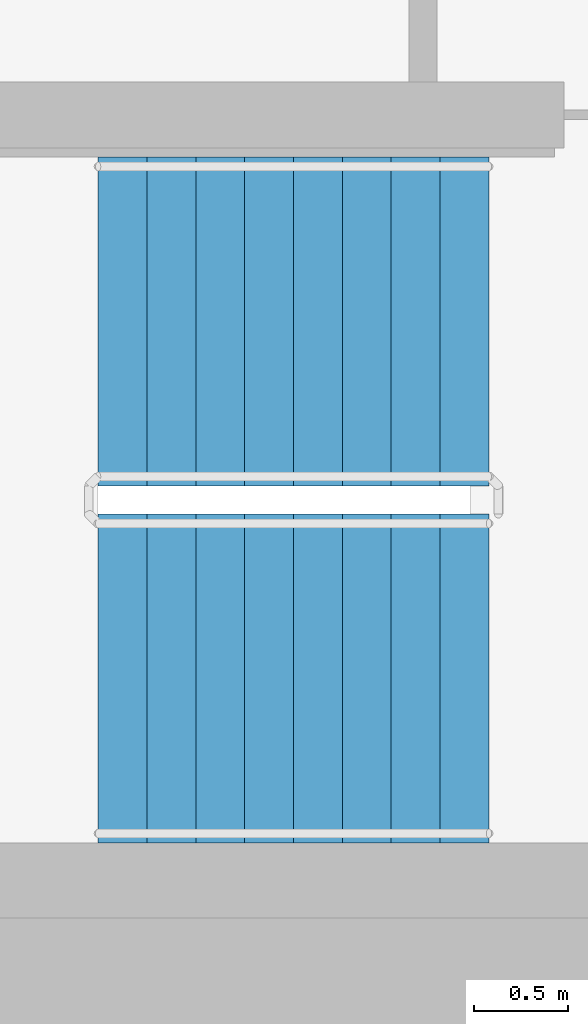
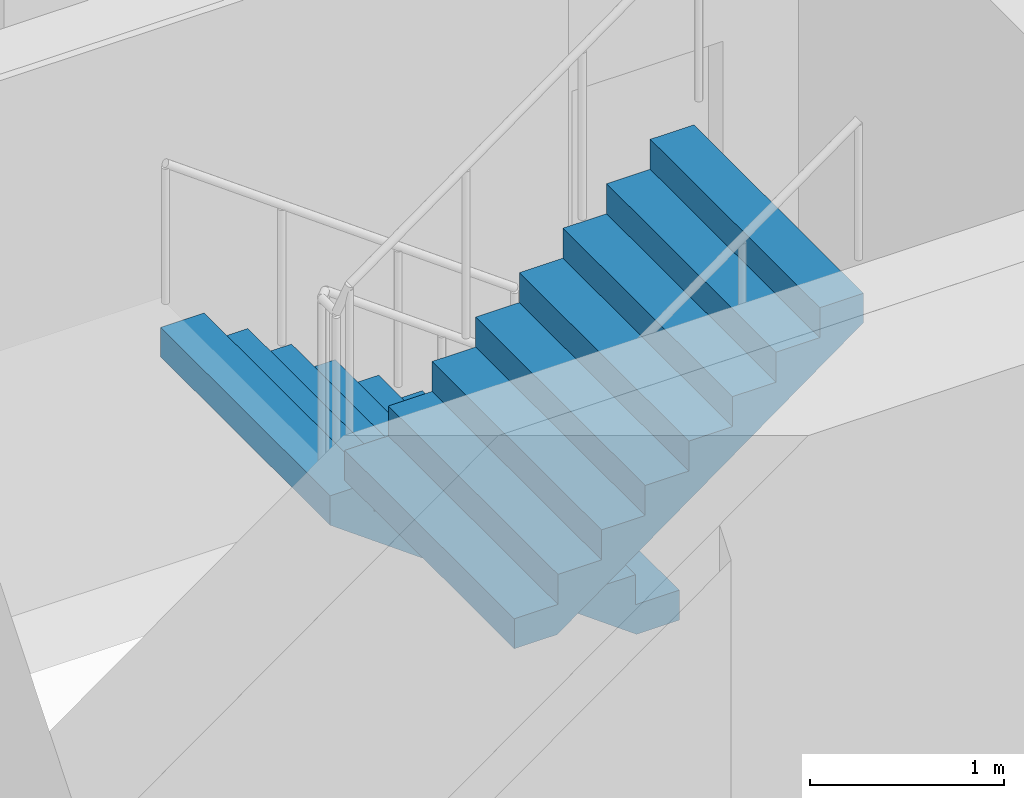
# One storey, part 13 of 19: 2 stair flights, 1 element without a shape of its own.
"""IFC4 building model written with IfcOpenShell, lengths in metres."""

from ifc_helpers import new_model, si_unit, direction, frame, origin, place, context, subcontext, project, spatial, faceted_brep, material, type_object, element, aggregate, save


model = new_model("IFC4")

# Units and contexts
model_context = context("Model", 3, precision=1e-05, world=origin(), true_north=direction((0.0, 1.0)))
body_context = subcontext(model_context, "Body", "Model", "MODEL_VIEW")
ifc_project = project(units=[si_unit("LENGTHUNIT", "METRE"), si_unit("AREAUNIT", "SQUARE_METRE"), si_unit("VOLUMEUNIT", "CUBIC_METRE"), si_unit("PLANEANGLEUNIT", "RADIAN"), si_unit("MASSUNIT", "GRAM", prefix="KILO")], contexts=[model_context])

# Site, building, storey
site_placement = place(None, origin())
site = spatial("IfcSite", under=ifc_project, at=site_placement, CompositionType="ELEMENT")
building_placement = place(site_placement, origin())
building = spatial("IfcBuilding", under=site, at=building_placement, Name="Ipe Terrace Towers", CompositionType="ELEMENT")
storey_placement = place(building_placement, frame((0.0, 0.0, 147.300048828125)))
storey = spatial("IfcBuildingStorey", under=building, at=storey_placement, Name="L40", CompositionType="ELEMENT", Elevation=147.300048828125)

# Stair, stair flights
ifc_material_1 = material(Name="Concrete C30/37", Category="concrete")
stair_type = type_object("IfcStairType", Name="Protected exit stair", PredefinedType="HALF_TURN_STAIR", material=ifc_material_1)
stair_placement = place(storey_placement, origin())
stair = element("IfcStair", 1, at=stair_placement, inside=storey, type_object=stair_type, Name="L40 Exit stair T1-C2", PredefinedType="HALF_TURN_STAIR")
ifc_material_2 = material(Name="Concrete C30/37", Category="concrete")
stair_flight_type = type_object("IfcStairFlightType", Name="Exit stair flight 1750", PredefinedType="STRAIGHT", material=ifc_material_2)
stair_flight_1_placement = place(storey_placement, frame((-45.699951171875, -2.77490234375, 0.0), z_axis=(0.0, 0.0, 1.0), x_axis=(-1.0, 0.0, 0.0)))
stair_flight_1 = element("IfcStairFlight", 2, at=stair_flight_1_placement, type_object=stair_flight_type, Name="T1-ST2 flight 1", NumberOfRisers=9, NumberOfTreads=8, PredefinedType="STRAIGHT", RiserHeight=0.188888889, TreadLength=0.26, context=body_context, shape_type="Brep", body=[
    faceted_brep([(0.255126953125, -0.875, 0.0), (2.080078125, -0.875, 1.325927734375), (2.080078125, -0.875, 1.51123046875), (1.820068359375, -0.875, 1.51123046875), (1.820068359375, -0.875, 1.322265625), (1.56005859375, -0.875, 1.322265625), (1.56005859375, -0.875, 1.13330078125), (1.300048828125, -0.875, 1.13330078125), (1.300048828125, -0.875, 0.9443359375), (1.0400390625, -0.875, 0.9443359375), (1.0400390625, -0.875, 0.755615234375), (0.780029296875, -0.875, 0.755615234375), (0.780029296875, -0.875, 0.566650390625), (0.52001953125, -0.875, 0.566650390625), (0.52001953125, -0.875, 0.377685546875), (0.260009765625, -0.875, 0.377685546875), (0.260009765625, -0.875, 0.18896484375), (0.0, -0.875, 0.18896484375), (0.0, -0.875, 0.0), (0.0, 0.875, 0.0), (0.0, 0.875, 0.18896484375), (0.260009765625, 0.875, 0.18896484375), (0.260009765625, 0.875, 0.377685546875), (0.52001953125, 0.875, 0.377685546875), (0.52001953125, 0.875, 0.566650390625), (0.780029296875, 0.875, 0.566650390625), (0.780029296875, 0.875, 0.755615234375), (1.0400390625, 0.875, 0.755615234375), (1.0400390625, 0.875, 0.9443359375), (1.300048828125, 0.875, 0.9443359375), (1.300048828125, 0.875, 1.13330078125), (1.56005859375, 0.875, 1.13330078125), (1.56005859375, 0.875, 1.322265625), (1.820068359375, 0.875, 1.322265625), (1.820068359375, 0.875, 1.51123046875), (2.080078125, 0.875, 1.51123046875), (2.080078125, 0.875, 1.325927734375), (0.255126953125, 0.875, 0.0), (0.0, -0.300048828125, 0.18896484375), (0.0, -0.1201171875, 0.18896484375), (0.0, -0.06005859375, 0.18896484375), (0.0, -0.030029296875, 0.18896484375), (0.0, -0.010009765625, 0.18896484375), (0.0, 0.0, 0.18896484375), (0.0, 0.010009765625, 0.18896484375), (0.0, 0.030029296875, 0.18896484375), (0.0, 0.06005859375, 0.18896484375), (0.0, 0.1201171875, 0.18896484375), (0.0, 0.300048828125, 0.18896484375), (0.0, 0.300048828125, 0.0), (0.0, 0.1201171875, 0.0), (0.0, 0.06005859375, 0.0), (0.0, 0.030029296875, 0.0), (0.0, 0.010009765625, 0.0), (0.0, 0.0, 0.0), (0.0, -0.010009765625, 0.0), (0.0, -0.030029296875, 0.0), (0.0, -0.06005859375, 0.0), (0.0, -0.1201171875, 0.0), (0.0, -0.300048828125, 0.0), (0.260009765625, -0.300048828125, 0.18896484375), (0.260009765625, -0.1201171875, 0.18896484375), (0.260009765625, -0.06005859375, 0.18896484375), (0.260009765625, -0.030029296875, 0.18896484375), (0.260009765625, -0.010009765625, 0.18896484375), (0.260009765625, 0.0, 0.18896484375), (0.260009765625, 0.010009765625, 0.18896484375), (0.260009765625, 0.030029296875, 0.18896484375), (0.260009765625, 0.06005859375, 0.18896484375), (0.260009765625, 0.1201171875, 0.18896484375), (0.260009765625, 0.300048828125, 0.18896484375), (0.260009765625, -0.300048828125, 0.377685546875), (0.260009765625, -0.1201171875, 0.377685546875), (0.260009765625, -0.06005859375, 0.377685546875), (0.260009765625, -0.030029296875, 0.377685546875), (0.260009765625, -0.010009765625, 0.377685546875), (0.260009765625, 0.0, 0.377685546875), (0.260009765625, 0.010009765625, 0.377685546875), (0.260009765625, 0.030029296875, 0.377685546875), (0.260009765625, 0.06005859375, 0.377685546875), (0.260009765625, 0.1201171875, 0.377685546875), (0.260009765625, 0.300048828125, 0.377685546875), (0.52001953125, -0.300048828125, 0.377685546875), (0.52001953125, -0.1201171875, 0.377685546875), (0.52001953125, -0.06005859375, 0.377685546875), (0.52001953125, -0.030029296875, 0.377685546875), (0.52001953125, -0.010009765625, 0.377685546875), (0.52001953125, 0.0, 0.377685546875), (0.52001953125, 0.010009765625, 0.377685546875), (0.52001953125, 0.030029296875, 0.377685546875), (0.52001953125, 0.06005859375, 0.377685546875), (0.52001953125, 0.1201171875, 0.377685546875), (0.52001953125, 0.300048828125, 0.377685546875), (0.52001953125, -0.300048828125, 0.566650390625), (0.52001953125, -0.1201171875, 0.566650390625), (0.52001953125, -0.06005859375, 0.566650390625), (0.52001953125, -0.030029296875, 0.566650390625), (0.52001953125, -0.010009765625, 0.566650390625), (0.52001953125, 0.0, 0.566650390625), (0.52001953125, 0.010009765625, 0.566650390625), (0.52001953125, 0.030029296875, 0.566650390625), (0.52001953125, 0.06005859375, 0.566650390625), (0.52001953125, 0.1201171875, 0.566650390625), (0.52001953125, 0.300048828125, 0.566650390625), (0.780029296875, -0.300048828125, 0.566650390625), (0.780029296875, -0.1201171875, 0.566650390625), (0.780029296875, -0.06005859375, 0.566650390625), (0.780029296875, -0.030029296875, 0.566650390625), (0.780029296875, -0.010009765625, 0.566650390625), (0.780029296875, 0.0, 0.566650390625), (0.780029296875, 0.010009765625, 0.566650390625), (0.780029296875, 0.030029296875, 0.566650390625), (0.780029296875, 0.06005859375, 0.566650390625), (0.780029296875, 0.1201171875, 0.566650390625), (0.780029296875, 0.300048828125, 0.566650390625), (0.780029296875, -0.300048828125, 0.755615234375), (0.780029296875, -0.1201171875, 0.755615234375), (0.780029296875, -0.06005859375, 0.755615234375), (0.780029296875, -0.030029296875, 0.755615234375), (0.780029296875, -0.010009765625, 0.755615234375), (0.780029296875, 0.0, 0.755615234375), (0.780029296875, 0.010009765625, 0.755615234375), (0.780029296875, 0.030029296875, 0.755615234375), (0.780029296875, 0.06005859375, 0.755615234375), (0.780029296875, 0.1201171875, 0.755615234375), (0.780029296875, 0.300048828125, 0.755615234375), (1.0400390625, -0.300048828125, 0.755615234375), (1.0400390625, -0.1201171875, 0.755615234375), (1.0400390625, -0.06005859375, 0.755615234375), (1.0400390625, -0.030029296875, 0.755615234375), (1.0400390625, -0.010009765625, 0.755615234375), (1.0400390625, 0.0, 0.755615234375), (1.0400390625, 0.010009765625, 0.755615234375), (1.0400390625, 0.030029296875, 0.755615234375), (1.0400390625, 0.06005859375, 0.755615234375), (1.0400390625, 0.1201171875, 0.755615234375), (1.0400390625, 0.300048828125, 0.755615234375), (1.0400390625, -0.300048828125, 0.9443359375), (1.0400390625, -0.1201171875, 0.9443359375), (1.0400390625, -0.06005859375, 0.9443359375), (1.0400390625, -0.030029296875, 0.9443359375), (1.0400390625, -0.010009765625, 0.9443359375), (1.0400390625, 0.0, 0.9443359375), (1.0400390625, 0.010009765625, 0.9443359375), (1.0400390625, 0.030029296875, 0.9443359375), (1.0400390625, 0.06005859375, 0.9443359375), (1.0400390625, 0.1201171875, 0.9443359375), (1.0400390625, 0.300048828125, 0.9443359375), (1.300048828125, -0.300048828125, 0.9443359375), (1.300048828125, -0.1201171875, 0.9443359375), (1.300048828125, -0.06005859375, 0.9443359375), (1.300048828125, -0.030029296875, 0.9443359375), (1.300048828125, -0.010009765625, 0.9443359375), (1.300048828125, 0.0, 0.9443359375), (1.300048828125, 0.010009765625, 0.9443359375), (1.300048828125, 0.030029296875, 0.9443359375), (1.300048828125, 0.06005859375, 0.9443359375), (1.300048828125, 0.1201171875, 0.9443359375), (1.300048828125, 0.300048828125, 0.9443359375), (1.300048828125, -0.300048828125, 1.13330078125), (1.300048828125, -0.1201171875, 1.13330078125), (1.300048828125, -0.06005859375, 1.13330078125), (1.300048828125, -0.030029296875, 1.13330078125), (1.300048828125, -0.010009765625, 1.13330078125), (1.300048828125, 0.0, 1.13330078125), (1.300048828125, 0.010009765625, 1.13330078125), (1.300048828125, 0.030029296875, 1.13330078125), (1.300048828125, 0.06005859375, 1.13330078125), (1.300048828125, 0.1201171875, 1.13330078125), (1.300048828125, 0.300048828125, 1.13330078125), (1.56005859375, -0.300048828125, 1.13330078125), (1.56005859375, -0.1201171875, 1.13330078125), (1.56005859375, -0.06005859375, 1.13330078125), (1.56005859375, -0.030029296875, 1.13330078125), (1.56005859375, -0.010009765625, 1.13330078125), (1.56005859375, 0.0, 1.13330078125), (1.56005859375, 0.010009765625, 1.13330078125), (1.56005859375, 0.030029296875, 1.13330078125), (1.56005859375, 0.06005859375, 1.13330078125), (1.56005859375, 0.1201171875, 1.13330078125), (1.56005859375, 0.300048828125, 1.13330078125), (1.56005859375, -0.300048828125, 1.322265625), (1.56005859375, -0.1201171875, 1.322265625), (1.56005859375, -0.06005859375, 1.322265625), (1.56005859375, -0.030029296875, 1.322265625), (1.56005859375, -0.010009765625, 1.322265625), (1.56005859375, 0.0, 1.322265625), (1.56005859375, 0.010009765625, 1.322265625), (1.56005859375, 0.030029296875, 1.322265625), (1.56005859375, 0.06005859375, 1.322265625), (1.56005859375, 0.1201171875, 1.322265625), (1.56005859375, 0.300048828125, 1.322265625), (1.820068359375, -0.300048828125, 1.322265625), (1.820068359375, -0.1201171875, 1.322265625), (1.820068359375, -0.06005859375, 1.322265625), (1.820068359375, -0.030029296875, 1.322265625), (1.820068359375, -0.010009765625, 1.322265625), (1.820068359375, 0.0, 1.322265625), (1.820068359375, 0.010009765625, 1.322265625), (1.820068359375, 0.030029296875, 1.322265625), (1.820068359375, 0.06005859375, 1.322265625), (1.820068359375, 0.1201171875, 1.322265625), (1.820068359375, 0.300048828125, 1.322265625), (1.820068359375, -0.300048828125, 1.51123046875), (1.820068359375, -0.1201171875, 1.51123046875), (1.820068359375, -0.06005859375, 1.51123046875), (1.820068359375, -0.030029296875, 1.51123046875), (1.820068359375, -0.010009765625, 1.51123046875), (1.820068359375, 0.0, 1.51123046875), (1.820068359375, 0.010009765625, 1.51123046875), (1.820068359375, 0.030029296875, 1.51123046875), (1.820068359375, 0.06005859375, 1.51123046875), (1.820068359375, 0.1201171875, 1.51123046875), (1.820068359375, 0.300048828125, 1.51123046875), (2.080078125, -0.300048828125, 1.51123046875), (2.080078125, -0.1201171875, 1.51123046875), (2.080078125, -0.06005859375, 1.51123046875), (2.080078125, -0.030029296875, 1.51123046875), (2.080078125, -0.010009765625, 1.51123046875), (2.080078125, 0.0, 1.51123046875), (2.080078125, 0.010009765625, 1.51123046875), (2.080078125, 0.030029296875, 1.51123046875), (2.080078125, 0.06005859375, 1.51123046875), (2.080078125, 0.1201171875, 1.51123046875), (2.080078125, 0.300048828125, 1.51123046875), (2.080078125, -0.300048828125, 1.325927734375), (2.080078125, -0.1201171875, 1.325927734375), (2.080078125, -0.06005859375, 1.325927734375), (2.080078125, -0.030029296875, 1.325927734375), (2.080078125, -0.010009765625, 1.325927734375), (2.080078125, 0.0, 1.325927734375), (2.080078125, 0.010009765625, 1.325927734375), (2.080078125, 0.030029296875, 1.325927734375), (2.080078125, 0.06005859375, 1.325927734375), (2.080078125, 0.1201171875, 1.325927734375), (2.080078125, 0.300048828125, 1.325927734375), (0.255126953125, -0.300048828125, 0.0), (0.255126953125, -0.1201171875, 0.0), (0.255126953125, -0.06005859375, 0.0), (0.255126953125, -0.030029296875, 0.0), (0.255126953125, -0.010009765625, 0.0), (0.255126953125, 0.0, 0.0), (0.255126953125, 0.010009765625, 0.0), (0.255126953125, 0.030029296875, 0.0), (0.255126953125, 0.06005859375, 0.0), (0.255126953125, 0.1201171875, 0.0), (0.255126953125, 0.300048828125, 0.0)], [[[0, 1, 2, 3, 4, 5, 6, 7, 8, 9, 10, 11, 12, 13, 14, 15, 16, 17, 18]], [[19, 20, 21, 22, 23, 24, 25, 26, 27, 28, 29, 30, 31, 32, 33, 34, 35, 36, 37]], [[17, 38, 39, 40, 41, 42, 43, 44, 45, 46, 47, 48, 20, 19, 49, 50, 51, 52, 53, 54, 55, 56, 57, 58, 59, 18]], [[16, 60, 61, 62, 63, 64, 65, 66, 67, 68, 69, 70, 21, 20, 48, 47, 46, 45, 44, 43, 42, 41, 40, 39, 38, 17]], [[15, 71, 72, 73, 74, 75, 76, 77, 78, 79, 80, 81, 22, 21, 70, 69, 68, 67, 66, 65, 64, 63, 62, 61, 60, 16]], [[14, 82, 83, 84, 85, 86, 87, 88, 89, 90, 91, 92, 23, 22, 81, 80, 79, 78, 77, 76, 75, 74, 73, 72, 71, 15]], [[13, 93, 94, 95, 96, 97, 98, 99, 100, 101, 102, 103, 24, 23, 92, 91, 90, 89, 88, 87, 86, 85, 84, 83, 82, 14]], [[12, 104, 105, 106, 107, 108, 109, 110, 111, 112, 113, 114, 25, 24, 103, 102, 101, 100, 99, 98, 97, 96, 95, 94, 93, 13]], [[11, 115, 116, 117, 118, 119, 120, 121, 122, 123, 124, 125, 26, 25, 114, 113, 112, 111, 110, 109, 108, 107, 106, 105, 104, 12]], [[10, 126, 127, 128, 129, 130, 131, 132, 133, 134, 135, 136, 27, 26, 125, 124, 123, 122, 121, 120, 119, 118, 117, 116, 115, 11]], [[9, 137, 138, 139, 140, 141, 142, 143, 144, 145, 146, 147, 28, 27, 136, 135, 134, 133, 132, 131, 130, 129, 128, 127, 126, 10]], [[8, 148, 149, 150, 151, 152, 153, 154, 155, 156, 157, 158, 29, 28, 147, 146, 145, 144, 143, 142, 141, 140, 139, 138, 137, 9]], [[7, 159, 160, 161, 162, 163, 164, 165, 166, 167, 168, 169, 30, 29, 158, 157, 156, 155, 154, 153, 152, 151, 150, 149, 148, 8]], [[6, 170, 171, 172, 173, 174, 175, 176, 177, 178, 179, 180, 31, 30, 169, 168, 167, 166, 165, 164, 163, 162, 161, 160, 159, 7]], [[5, 181, 182, 183, 184, 185, 186, 187, 188, 189, 190, 191, 32, 31, 180, 179, 178, 177, 176, 175, 174, 173, 172, 171, 170, 6]], [[4, 192, 193, 194, 195, 196, 197, 198, 199, 200, 201, 202, 33, 32, 191, 190, 189, 188, 187, 186, 185, 184, 183, 182, 181, 5]], [[3, 203, 204, 205, 206, 207, 208, 209, 210, 211, 212, 213, 34, 33, 202, 201, 200, 199, 198, 197, 196, 195, 194, 193, 192, 4]], [[2, 214, 215, 216, 217, 218, 219, 220, 221, 222, 223, 224, 35, 34, 213, 212, 211, 210, 209, 208, 207, 206, 205, 204, 203, 3]], [[1, 225, 226, 227, 228, 229, 230, 231, 232, 233, 234, 235, 36, 35, 224, 223, 222, 221, 220, 219, 218, 217, 216, 215, 214, 2]], [[0, 236, 237, 238, 239, 240, 241, 242, 243, 244, 245, 246, 37, 36, 235, 234, 233, 232, 231, 230, 229, 228, 227, 226, 225, 1]], [[18, 59, 58, 57, 56, 55, 54, 53, 52, 51, 50, 49, 19, 37, 246, 245, 244, 243, 242, 241, 240, 239, 238, 237, 236, 0]]]),
])
stair_flight_2_placement = place(storey_placement, frame((-47.780029296875, -4.675048828125, 1.699951171875), z_axis=(0.0, 0.0, 1.0), x_axis=(1.0, 0.0, 0.0)))
stair_flight_2 = element("IfcStairFlight", 3, at=stair_flight_2_placement, type_object=stair_flight_type, Name="T1-ST2 flight 2", NumberOfRisers=9, NumberOfTreads=8, PredefinedType="STRAIGHT", RiserHeight=0.188888889, TreadLength=0.26, context=body_context, shape_type="Brep", body=[
    faceted_brep([(0.255126953125, -0.875, 0.0), (2.080078125, -0.875, 1.325927734375), (2.080078125, -0.875, 1.51123046875), (1.820068359375, -0.875, 1.51123046875), (1.820068359375, -0.875, 1.322265625), (1.56005859375, -0.875, 1.322265625), (1.56005859375, -0.875, 1.13330078125), (1.300048828125, -0.875, 1.13330078125), (1.300048828125, -0.875, 0.9443359375), (1.0400390625, -0.875, 0.9443359375), (1.0400390625, -0.875, 0.755615234375), (0.780029296875, -0.875, 0.755615234375), (0.780029296875, -0.875, 0.566650390625), (0.52001953125, -0.875, 0.566650390625), (0.52001953125, -0.875, 0.377685546875), (0.260009765625, -0.875, 0.377685546875), (0.260009765625, -0.875, 0.18896484375), (0.0, -0.875, 0.18896484375), (0.0, -0.875, 0.0), (0.0, 0.875, 0.0), (0.0, 0.875, 0.18896484375), (0.260009765625, 0.875, 0.18896484375), (0.260009765625, 0.875, 0.377685546875), (0.52001953125, 0.875, 0.377685546875), (0.52001953125, 0.875, 0.566650390625), (0.780029296875, 0.875, 0.566650390625), (0.780029296875, 0.875, 0.755615234375), (1.0400390625, 0.875, 0.755615234375), (1.0400390625, 0.875, 0.9443359375), (1.300048828125, 0.875, 0.9443359375), (1.300048828125, 0.875, 1.13330078125), (1.56005859375, 0.875, 1.13330078125), (1.56005859375, 0.875, 1.322265625), (1.820068359375, 0.875, 1.322265625), (1.820068359375, 0.875, 1.51123046875), (2.080078125, 0.875, 1.51123046875), (2.080078125, 0.875, 1.325927734375), (0.255126953125, 0.875, 0.0), (0.0, -0.300048828125, 0.18896484375), (0.0, -0.1201171875, 0.18896484375), (0.0, -0.06005859375, 0.18896484375), (0.0, -0.030029296875, 0.18896484375), (0.0, -0.010009765625, 0.18896484375), (0.0, 0.0, 0.18896484375), (0.0, 0.010009765625, 0.18896484375), (0.0, 0.030029296875, 0.18896484375), (0.0, 0.06005859375, 0.18896484375), (0.0, 0.1201171875, 0.18896484375), (0.0, 0.300048828125, 0.18896484375), (0.0, 0.300048828125, 0.0), (0.0, 0.1201171875, 0.0), (0.0, 0.06005859375, 0.0), (0.0, 0.030029296875, 0.0), (0.0, 0.010009765625, 0.0), (0.0, 0.0, 0.0), (0.0, -0.010009765625, 0.0), (0.0, -0.030029296875, 0.0), (0.0, -0.06005859375, 0.0), (0.0, -0.1201171875, 0.0), (0.0, -0.300048828125, 0.0), (0.260009765625, -0.300048828125, 0.18896484375), (0.260009765625, -0.1201171875, 0.18896484375), (0.260009765625, -0.06005859375, 0.18896484375), (0.260009765625, -0.030029296875, 0.18896484375), (0.260009765625, -0.010009765625, 0.18896484375), (0.260009765625, 0.0, 0.18896484375), (0.260009765625, 0.010009765625, 0.18896484375), (0.260009765625, 0.030029296875, 0.18896484375), (0.260009765625, 0.06005859375, 0.18896484375), (0.260009765625, 0.1201171875, 0.18896484375), (0.260009765625, 0.300048828125, 0.18896484375), (0.260009765625, -0.300048828125, 0.377685546875), (0.260009765625, -0.1201171875, 0.377685546875), (0.260009765625, -0.06005859375, 0.377685546875), (0.260009765625, -0.030029296875, 0.377685546875), (0.260009765625, -0.010009765625, 0.377685546875), (0.260009765625, 0.0, 0.377685546875), (0.260009765625, 0.010009765625, 0.377685546875), (0.260009765625, 0.030029296875, 0.377685546875), (0.260009765625, 0.06005859375, 0.377685546875), (0.260009765625, 0.1201171875, 0.377685546875), (0.260009765625, 0.300048828125, 0.377685546875), (0.52001953125, -0.300048828125, 0.377685546875), (0.52001953125, -0.1201171875, 0.377685546875), (0.52001953125, -0.06005859375, 0.377685546875), (0.52001953125, -0.030029296875, 0.377685546875), (0.52001953125, -0.010009765625, 0.377685546875), (0.52001953125, 0.0, 0.377685546875), (0.52001953125, 0.010009765625, 0.377685546875), (0.52001953125, 0.030029296875, 0.377685546875), (0.52001953125, 0.06005859375, 0.377685546875), (0.52001953125, 0.1201171875, 0.377685546875), (0.52001953125, 0.300048828125, 0.377685546875), (0.52001953125, -0.300048828125, 0.566650390625), (0.52001953125, -0.1201171875, 0.566650390625), (0.52001953125, -0.06005859375, 0.566650390625), (0.52001953125, -0.030029296875, 0.566650390625), (0.52001953125, -0.010009765625, 0.566650390625), (0.52001953125, 0.0, 0.566650390625), (0.52001953125, 0.010009765625, 0.566650390625), (0.52001953125, 0.030029296875, 0.566650390625), (0.52001953125, 0.06005859375, 0.566650390625), (0.52001953125, 0.1201171875, 0.566650390625), (0.52001953125, 0.300048828125, 0.566650390625), (0.780029296875, -0.300048828125, 0.566650390625), (0.780029296875, -0.1201171875, 0.566650390625), (0.780029296875, -0.06005859375, 0.566650390625), (0.780029296875, -0.030029296875, 0.566650390625), (0.780029296875, -0.010009765625, 0.566650390625), (0.780029296875, 0.0, 0.566650390625), (0.780029296875, 0.010009765625, 0.566650390625), (0.780029296875, 0.030029296875, 0.566650390625), (0.780029296875, 0.06005859375, 0.566650390625), (0.780029296875, 0.1201171875, 0.566650390625), (0.780029296875, 0.300048828125, 0.566650390625), (0.780029296875, -0.300048828125, 0.755615234375), (0.780029296875, -0.1201171875, 0.755615234375), (0.780029296875, -0.06005859375, 0.755615234375), (0.780029296875, -0.030029296875, 0.755615234375), (0.780029296875, -0.010009765625, 0.755615234375), (0.780029296875, 0.0, 0.755615234375), (0.780029296875, 0.010009765625, 0.755615234375), (0.780029296875, 0.030029296875, 0.755615234375), (0.780029296875, 0.06005859375, 0.755615234375), (0.780029296875, 0.1201171875, 0.755615234375), (0.780029296875, 0.300048828125, 0.755615234375), (1.0400390625, -0.300048828125, 0.755615234375), (1.0400390625, -0.1201171875, 0.755615234375), (1.0400390625, -0.06005859375, 0.755615234375), (1.0400390625, -0.030029296875, 0.755615234375), (1.0400390625, -0.010009765625, 0.755615234375), (1.0400390625, 0.0, 0.755615234375), (1.0400390625, 0.010009765625, 0.755615234375), (1.0400390625, 0.030029296875, 0.755615234375), (1.0400390625, 0.06005859375, 0.755615234375), (1.0400390625, 0.1201171875, 0.755615234375), (1.0400390625, 0.300048828125, 0.755615234375), (1.0400390625, -0.300048828125, 0.9443359375), (1.0400390625, -0.1201171875, 0.9443359375), (1.0400390625, -0.06005859375, 0.9443359375), (1.0400390625, -0.030029296875, 0.9443359375), (1.0400390625, -0.010009765625, 0.9443359375), (1.0400390625, 0.0, 0.9443359375), (1.0400390625, 0.010009765625, 0.9443359375), (1.0400390625, 0.030029296875, 0.9443359375), (1.0400390625, 0.06005859375, 0.9443359375), (1.0400390625, 0.1201171875, 0.9443359375), (1.0400390625, 0.300048828125, 0.9443359375), (1.300048828125, -0.300048828125, 0.9443359375), (1.300048828125, -0.1201171875, 0.9443359375), (1.300048828125, -0.06005859375, 0.9443359375), (1.300048828125, -0.030029296875, 0.9443359375), (1.300048828125, -0.010009765625, 0.9443359375), (1.300048828125, 0.0, 0.9443359375), (1.300048828125, 0.010009765625, 0.9443359375), (1.300048828125, 0.030029296875, 0.9443359375), (1.300048828125, 0.06005859375, 0.9443359375), (1.300048828125, 0.1201171875, 0.9443359375), (1.300048828125, 0.300048828125, 0.9443359375), (1.300048828125, -0.300048828125, 1.13330078125), (1.300048828125, -0.1201171875, 1.13330078125), (1.300048828125, -0.06005859375, 1.13330078125), (1.300048828125, -0.030029296875, 1.13330078125), (1.300048828125, -0.010009765625, 1.13330078125), (1.300048828125, 0.0, 1.13330078125), (1.300048828125, 0.010009765625, 1.13330078125), (1.300048828125, 0.030029296875, 1.13330078125), (1.300048828125, 0.06005859375, 1.13330078125), (1.300048828125, 0.1201171875, 1.13330078125), (1.300048828125, 0.300048828125, 1.13330078125), (1.56005859375, -0.300048828125, 1.13330078125), (1.56005859375, -0.1201171875, 1.13330078125), (1.56005859375, -0.06005859375, 1.13330078125), (1.56005859375, -0.030029296875, 1.13330078125), (1.56005859375, -0.010009765625, 1.13330078125), (1.56005859375, 0.0, 1.13330078125), (1.56005859375, 0.010009765625, 1.13330078125), (1.56005859375, 0.030029296875, 1.13330078125), (1.56005859375, 0.06005859375, 1.13330078125), (1.56005859375, 0.1201171875, 1.13330078125), (1.56005859375, 0.300048828125, 1.13330078125), (1.56005859375, -0.300048828125, 1.322265625), (1.56005859375, -0.1201171875, 1.322265625), (1.56005859375, -0.06005859375, 1.322265625), (1.56005859375, -0.030029296875, 1.322265625), (1.56005859375, -0.010009765625, 1.322265625), (1.56005859375, 0.0, 1.322265625), (1.56005859375, 0.010009765625, 1.322265625), (1.56005859375, 0.030029296875, 1.322265625), (1.56005859375, 0.06005859375, 1.322265625), (1.56005859375, 0.1201171875, 1.322265625), (1.56005859375, 0.300048828125, 1.322265625), (1.820068359375, -0.300048828125, 1.322265625), (1.820068359375, -0.1201171875, 1.322265625), (1.820068359375, -0.06005859375, 1.322265625), (1.820068359375, -0.030029296875, 1.322265625), (1.820068359375, -0.010009765625, 1.322265625), (1.820068359375, 0.0, 1.322265625), (1.820068359375, 0.010009765625, 1.322265625), (1.820068359375, 0.030029296875, 1.322265625), (1.820068359375, 0.06005859375, 1.322265625), (1.820068359375, 0.1201171875, 1.322265625), (1.820068359375, 0.300048828125, 1.322265625), (1.820068359375, -0.300048828125, 1.51123046875), (1.820068359375, -0.1201171875, 1.51123046875), (1.820068359375, -0.06005859375, 1.51123046875), (1.820068359375, -0.030029296875, 1.51123046875), (1.820068359375, -0.010009765625, 1.51123046875), (1.820068359375, 0.0, 1.51123046875), (1.820068359375, 0.010009765625, 1.51123046875), (1.820068359375, 0.030029296875, 1.51123046875), (1.820068359375, 0.06005859375, 1.51123046875), (1.820068359375, 0.1201171875, 1.51123046875), (1.820068359375, 0.300048828125, 1.51123046875), (2.080078125, -0.300048828125, 1.51123046875), (2.080078125, -0.1201171875, 1.51123046875), (2.080078125, -0.06005859375, 1.51123046875), (2.080078125, -0.030029296875, 1.51123046875), (2.080078125, -0.010009765625, 1.51123046875), (2.080078125, 0.0, 1.51123046875), (2.080078125, 0.010009765625, 1.51123046875), (2.080078125, 0.030029296875, 1.51123046875), (2.080078125, 0.06005859375, 1.51123046875), (2.080078125, 0.1201171875, 1.51123046875), (2.080078125, 0.300048828125, 1.51123046875), (2.080078125, -0.300048828125, 1.325927734375), (2.080078125, -0.1201171875, 1.325927734375), (2.080078125, -0.06005859375, 1.325927734375), (2.080078125, -0.030029296875, 1.325927734375), (2.080078125, -0.010009765625, 1.325927734375), (2.080078125, 0.0, 1.325927734375), (2.080078125, 0.010009765625, 1.325927734375), (2.080078125, 0.030029296875, 1.325927734375), (2.080078125, 0.06005859375, 1.325927734375), (2.080078125, 0.1201171875, 1.325927734375), (2.080078125, 0.300048828125, 1.325927734375), (0.255126953125, -0.300048828125, 0.0), (0.255126953125, -0.1201171875, 0.0), (0.255126953125, -0.06005859375, 0.0), (0.255126953125, -0.030029296875, 0.0), (0.255126953125, -0.010009765625, 0.0), (0.255126953125, 0.0, 0.0), (0.255126953125, 0.010009765625, 0.0), (0.255126953125, 0.030029296875, 0.0), (0.255126953125, 0.06005859375, 0.0), (0.255126953125, 0.1201171875, 0.0), (0.255126953125, 0.300048828125, 0.0)], [[[0, 1, 2, 3, 4, 5, 6, 7, 8, 9, 10, 11, 12, 13, 14, 15, 16, 17, 18]], [[19, 20, 21, 22, 23, 24, 25, 26, 27, 28, 29, 30, 31, 32, 33, 34, 35, 36, 37]], [[17, 38, 39, 40, 41, 42, 43, 44, 45, 46, 47, 48, 20, 19, 49, 50, 51, 52, 53, 54, 55, 56, 57, 58, 59, 18]], [[16, 60, 61, 62, 63, 64, 65, 66, 67, 68, 69, 70, 21, 20, 48, 47, 46, 45, 44, 43, 42, 41, 40, 39, 38, 17]], [[15, 71, 72, 73, 74, 75, 76, 77, 78, 79, 80, 81, 22, 21, 70, 69, 68, 67, 66, 65, 64, 63, 62, 61, 60, 16]], [[14, 82, 83, 84, 85, 86, 87, 88, 89, 90, 91, 92, 23, 22, 81, 80, 79, 78, 77, 76, 75, 74, 73, 72, 71, 15]], [[13, 93, 94, 95, 96, 97, 98, 99, 100, 101, 102, 103, 24, 23, 92, 91, 90, 89, 88, 87, 86, 85, 84, 83, 82, 14]], [[12, 104, 105, 106, 107, 108, 109, 110, 111, 112, 113, 114, 25, 24, 103, 102, 101, 100, 99, 98, 97, 96, 95, 94, 93, 13]], [[11, 115, 116, 117, 118, 119, 120, 121, 122, 123, 124, 125, 26, 25, 114, 113, 112, 111, 110, 109, 108, 107, 106, 105, 104, 12]], [[10, 126, 127, 128, 129, 130, 131, 132, 133, 134, 135, 136, 27, 26, 125, 124, 123, 122, 121, 120, 119, 118, 117, 116, 115, 11]], [[9, 137, 138, 139, 140, 141, 142, 143, 144, 145, 146, 147, 28, 27, 136, 135, 134, 133, 132, 131, 130, 129, 128, 127, 126, 10]], [[8, 148, 149, 150, 151, 152, 153, 154, 155, 156, 157, 158, 29, 28, 147, 146, 145, 144, 143, 142, 141, 140, 139, 138, 137, 9]], [[7, 159, 160, 161, 162, 163, 164, 165, 166, 167, 168, 169, 30, 29, 158, 157, 156, 155, 154, 153, 152, 151, 150, 149, 148, 8]], [[6, 170, 171, 172, 173, 174, 175, 176, 177, 178, 179, 180, 31, 30, 169, 168, 167, 166, 165, 164, 163, 162, 161, 160, 159, 7]], [[5, 181, 182, 183, 184, 185, 186, 187, 188, 189, 190, 191, 32, 31, 180, 179, 178, 177, 176, 175, 174, 173, 172, 171, 170, 6]], [[4, 192, 193, 194, 195, 196, 197, 198, 199, 200, 201, 202, 33, 32, 191, 190, 189, 188, 187, 186, 185, 184, 183, 182, 181, 5]], [[3, 203, 204, 205, 206, 207, 208, 209, 210, 211, 212, 213, 34, 33, 202, 201, 200, 199, 198, 197, 196, 195, 194, 193, 192, 4]], [[2, 214, 215, 216, 217, 218, 219, 220, 221, 222, 223, 224, 35, 34, 213, 212, 211, 210, 209, 208, 207, 206, 205, 204, 203, 3]], [[1, 225, 226, 227, 228, 229, 230, 231, 232, 233, 234, 235, 36, 35, 224, 223, 222, 221, 220, 219, 218, 217, 216, 215, 214, 2]], [[0, 236, 237, 238, 239, 240, 241, 242, 243, 244, 245, 246, 37, 36, 235, 234, 233, 232, 231, 230, 229, 228, 227, 226, 225, 1]], [[18, 59, 58, 57, 56, 55, 54, 53, 52, 51, 50, 49, 19, 37, 246, 245, 244, 243, 242, 241, 240, 239, 238, 237, 236, 0]]]),
])
aggregate(stair, [stair_flight_1, stair_flight_2])

save(model, "model.ifc")
